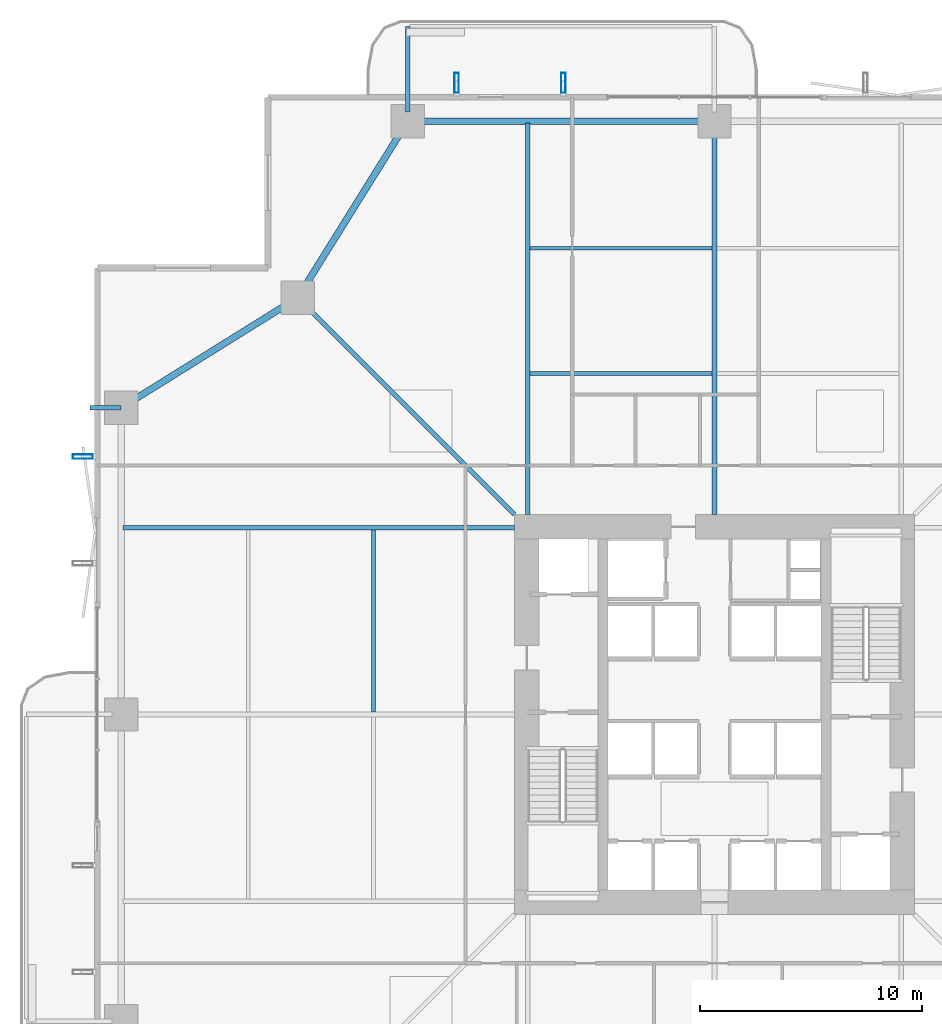
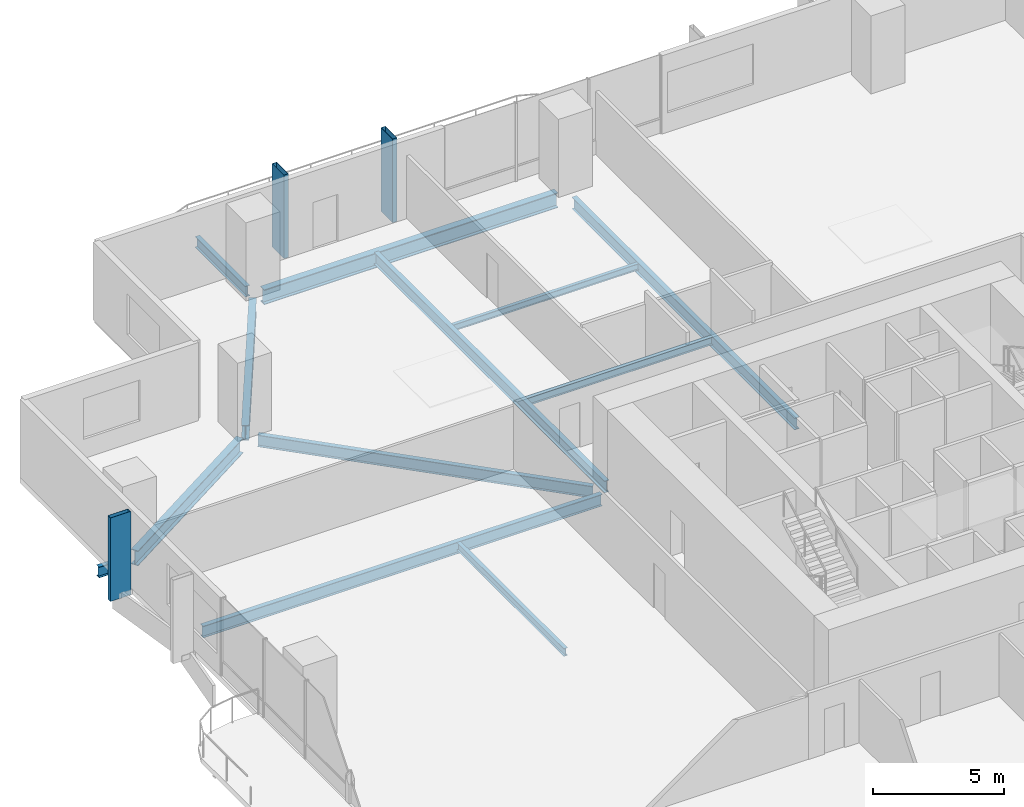
# One storey, part 10 of 24: 12 beams, 3 members.
"""IFC4 building model written with IfcOpenShell, lengths in metres."""

from ifc_helpers import new_model, si_unit, direction, frame, origin, origin_2d, place, context, subcontext, project, spatial, hollow_rectangle, i_section, extrude, material, material_profile, profile_set, type_object, element, save


model = new_model("IFC4")

# Units and contexts
model_context = context("Model", 3, precision=1e-05, world=origin(), true_north=direction((0.0, 1.0)))
body_context = subcontext(model_context, "Body", "Model", "MODEL_VIEW")
ifc_project = project(units=[si_unit("LENGTHUNIT", "METRE"), si_unit("AREAUNIT", "SQUARE_METRE"), si_unit("VOLUMEUNIT", "CUBIC_METRE"), si_unit("PLANEANGLEUNIT", "RADIAN"), si_unit("MASSUNIT", "GRAM", prefix="KILO")], contexts=[model_context])

# Site, building, storey
site_placement = place(None, origin())
site = spatial("IfcSite", under=ifc_project, at=site_placement, CompositionType="ELEMENT")
building_placement = place(site_placement, origin())
building = spatial("IfcBuilding", under=site, at=building_placement, Name="Belovzor Exchange Tower", CompositionType="ELEMENT")
storey_placement = place(building_placement, frame((0.0, 0.0, 96.300048828125)))
storey = spatial("IfcBuildingStorey", under=building, at=storey_placement, Name="L23", CompositionType="ELEMENT", Elevation=96.300048828125)

# Beams
ifc_material_1 = material(Name="Steel S355", Category="steel")
ifc_material_profile_1 = material_profile(ifc_material_1, i_section(OverallWidth=0.199951171875, OverallDepth=0.5, WebThickness=0.01025390625, FlangeThickness=0.01611328125, at=origin_2d()))
ifc_profile_set_1 = profile_set([ifc_material_profile_1], Name="Steel S355")
beam_type_1 = type_object("IfcBeamType", Name="Planted Balcony Cantilever Beam IPE 500", PredefinedType="BEAM", material=ifc_profile_set_1)
beam_1_placement = place(storey_placement, frame((15.0, 55.9130859375, -0.5), z_axis=(0.0, 1.0, 0.0), x_axis=(-1.0, 0.0, 0.0)))
element("IfcBeam", 1, at=beam_1_placement, inside=storey, type_object=beam_type_1, Name="BC-500 Planted Balcony Cantilever Beam IPE 500", PredefinedType="BEAM", context=body_context, shape_type="SweptSolid", body=[
    extrude(i_section(OverallWidth=0.199951171875, OverallDepth=0.5, WebThickness=0.01025390625, FlangeThickness=0.01611328125, at=origin_2d()), origin(), (0.0, 0.0, 1.0), 3.849853515625),
])
beam_2_placement = place(storey_placement, frame((2.10009765625, 42.60009765625, -0.5), z_axis=(-1.0, 0.0, 0.0), x_axis=(0.0, -1.0, 0.0)))
element("IfcBeam", 2, at=beam_2_placement, inside=storey, type_object=beam_type_1, Name="BC-500 Planted Balcony Cantilever Beam IPE 500", PredefinedType="BEAM", context=body_context, shape_type="SweptSolid", body=[
    extrude(i_section(OverallWidth=0.199951171875, OverallDepth=0.5, WebThickness=0.01025390625, FlangeThickness=0.01611328125, at=origin_2d()), origin(), (0.0, 0.0, 1.0), 1.400146484375),
])
ifc_material_2 = material(Name="Steel S355", Category="steel")
ifc_material_profile_2 = material_profile(ifc_material_2, i_section(OverallWidth=0.169921875, OverallDepth=0.360107421875, WebThickness=0.008056640625, FlangeThickness=0.0126953125, at=origin_2d()))
ifc_profile_set_2 = profile_set([ifc_material_profile_2], Name="Steel S355")
beam_type_2 = type_object("IfcBeamType", Name="Secondary Infill Floor Joist IPE 360", PredefinedType="BEAM", material=ifc_profile_set_2)
beam_3_placement = place(storey_placement, frame((20.5048828125, 44.14501953125, -0.429931640625), z_axis=(1.0, 0.0, 0.0), x_axis=(0.0, 1.0, 0.0)))
element("IfcBeam", 3, at=beam_3_placement, inside=storey, type_object=beam_type_2, Name="FJ-360 Secondary Infill Floor Joist IPE 360", PredefinedType="BEAM", context=body_context, shape_type="SweptSolid", body=[
    extrude(i_section(OverallWidth=0.169921875, OverallDepth=0.360107421875, WebThickness=0.008056640625, FlangeThickness=0.0126953125, at=origin_2d()), origin(), (0.0, 0.0, 1.0), 8.190185546875),
])
beam_4_placement = place(storey_placement, frame((13.455078125, 28.905029296875, -0.429931640625), z_axis=(0.0, 1.0, 0.0), x_axis=(-1.0, 0.0, 0.0)))
element("IfcBeam", 4, at=beam_4_placement, inside=storey, type_object=beam_type_2, Name="FJ-360 Secondary Infill Floor Joist IPE 360", PredefinedType="BEAM", context=body_context, shape_type="SweptSolid", body=[
    extrude(i_section(OverallWidth=0.169921875, OverallDepth=0.360107421875, WebThickness=0.008056640625, FlangeThickness=0.0126953125, at=origin_2d()), origin(), (0.0, 0.0, 1.0), 8.18994140625),
])
ifc_material_3 = material(Name="Steel S355", Category="steel")
ifc_material_profile_3 = material_profile(ifc_material_3, i_section(OverallWidth=0.14990234375, OverallDepth=0.300048828125, WebThickness=0.007080078125, FlangeThickness=0.0107421875, at=origin_2d()))
ifc_profile_set_3 = profile_set([ifc_material_profile_3], Name="Steel S355")
beam_type_3 = type_object("IfcBeamType", Name="Secondary Trim Floor Joist IPE 300", PredefinedType="BEAM", material=ifc_profile_set_3)
beam_5_placement = place(storey_placement, frame((20.5048828125, 49.784912109375, -0.400146484375), z_axis=(1.0, 0.0, 0.0), x_axis=(0.0, 1.0, 0.0)))
element("IfcBeam", 5, at=beam_5_placement, inside=storey, type_object=beam_type_3, Name="FJ-300 Secondary Trim Floor Joist IPE 300", PredefinedType="BEAM", context=body_context, shape_type="SweptSolid", body=[
    extrude(i_section(OverallWidth=0.14990234375, OverallDepth=0.300048828125, WebThickness=0.007080078125, FlangeThickness=0.0107421875, at=origin_2d()), origin(), (0.0, 0.0, 1.0), 8.190185546875),
])

# Members
ifc_material_4 = material(Name="Extruded Architectural Terracotta on Steel S355 Carrier", Category="masonry")
ifc_material_profile_4 = material_profile(ifc_material_4, hollow_rectangle(XDim=0.199951171875, YDim=0.89990234375, WallThickness=0.011962890625, at=origin_2d()))
ifc_profile_set_4 = profile_set([ifc_material_profile_4], Name="Extruded Architectural Terracotta on Steel S355 Carrier")
member_type = type_object("IfcMemberType", Name="Sweeping Terracotta Baguette Fin Assembly 1250", PredefinedType="USERDEFINED", material=ifc_profile_set_4)
for number, where, z_axis, x_axis, name in (
    (6, (17.199951171875, 57.22509765625, -0.25), (0.0, 0.0, 1.0), (1.0, 0.0, 0.0), "FIN-TC125 Terracotta Facade Fin L23 N1"),
    (7, (22.0, 57.22509765625, -0.25), (0.0, 0.0, 1.0), (1.0, 0.0, 0.0), "FIN-TC125 Terracotta Facade Fin L23 N2"),
    (8, (0.375, 40.39990234375, -0.25), (0.0, 0.0, 1.0), (0.0, 1.0, 0.0), "FIN-TC125 Terracotta Facade Fin L23 W4"),
):
    element("IfcMember", number, at=place(storey_placement, frame(where, z_axis=z_axis, x_axis=x_axis)), inside=storey, type_object=member_type, Name=name, ObjectType="FIN", PredefinedType="USERDEFINED", context=body_context, shape_type="SweptSolid", body=[
        extrude(hollow_rectangle(XDim=0.199951171875, YDim=0.89990234375, WallThickness=0.011962890625, at=origin_2d()), origin(), (0.0, 0.0, 1.0), 3.89990234375),
    ])

# Beams
ifc_material_5 = material(Name="Steel S355", Category="steel")
ifc_material_profile_5 = material_profile(ifc_material_5, i_section(OverallWidth=0.300048828125, OverallDepth=0.699951171875, WebThickness=0.01708984375, FlangeThickness=0.031982421875, at=origin_2d()))
ifc_profile_set_5 = profile_set([ifc_material_profile_5], Name="Steel S355")
beam_type_4 = type_object("IfcBeamType", Name="Zone 1 Primary Perimeter Girder HEB 700", PredefinedType="BEAM", material=ifc_profile_set_5)
beam_6_placement = place(storey_placement, frame((28.386962890625, 55.5, -0.60009765625), z_axis=(-1.0, 0.0, 0.0), x_axis=(0.0, -1.0, 0.0)))
element("IfcBeam", 9, at=beam_6_placement, inside=storey, type_object=beam_type_4, Name="FG-Z1 Zone 1 Primary Perimeter Girder HEB 700", PredefinedType="BEAM", context=body_context, shape_type="SweptSolid", body=[
    extrude(i_section(OverallWidth=0.300048828125, OverallDepth=0.699951171875, WebThickness=0.01708984375, FlangeThickness=0.031982421875, at=origin_2d()), origin(), (0.0, 0.0, 1.0), 12.974853515625),
])
for number, where, z_axis, x_axis, name in (
    (10, (14.781982421875, 55.14990234375, -0.60009765625), (-0.528538629686, -0.848909251292, 0.0), (0.848909251292, -0.528538629686, 0.0), "FG-Z1 Zone 1 Primary Perimeter Girder HEB 700"),
    (11, (9.699951171875, 47.33203125, -0.60009765625), (-0.848909251292, -0.528538629686, 0.0), (0.528538629686, -0.848909251292, 0.0), "FG-Z1 Zone 1 Primary Perimeter Girder HEB 700"),
):
    element("IfcBeam", number, at=place(storey_placement, frame(where, z_axis=z_axis, x_axis=x_axis)), inside=storey, type_object=beam_type_4, Name=name, PredefinedType="BEAM", context=body_context, shape_type="SweptSolid", body=[
        extrude(i_section(OverallWidth=0.300048828125, OverallDepth=0.699951171875, WebThickness=0.01708984375, FlangeThickness=0.031982421875, at=origin_2d()), origin(), (0.0, 0.0, 1.0), 8.540283203125),
    ])
ifc_material_6 = material(Name="Steel S355", Category="steel")
ifc_material_profile_6 = material_profile(ifc_material_6, i_section(OverallWidth=0.2099609375, OverallDepth=0.550048828125, WebThickness=0.010986328125, FlangeThickness=0.01708984375, at=origin_2d()))
ifc_profile_set_6 = profile_set([ifc_material_profile_6], Name="Steel S355")
beam_type_5 = type_object("IfcBeamType", Name="Zone 1 Radial Composite Floor Beam IPE 550", PredefinedType="BEAM", material=ifc_profile_set_6)
beam_7_placement = place(storey_placement, frame((20.39990234375, 37.800048828125, -0.525146484375), z_axis=(0.0, 1.0, 0.0), x_axis=(-1.0, 0.0, 0.0)))
element("IfcBeam", 12, at=beam_7_placement, inside=storey, type_object=beam_type_5, Name="FB-550 Zone 1 Radial Composite Floor Beam IPE 550", PredefinedType="BEAM", context=body_context, shape_type="SweptSolid", body=[
    extrude(i_section(OverallWidth=0.2099609375, OverallDepth=0.550048828125, WebThickness=0.010986328125, FlangeThickness=0.01708984375, at=origin_2d()), origin(), (0.0, 0.0, 1.0), 17.625),
])
beam_8_placement = place(storey_placement, frame((28.800048828125, 37.800048828125, -0.525146484375), z_axis=(0.0, 1.0, 0.0), x_axis=(-1.0, 0.0, 0.0)))
element("IfcBeam", 13, at=beam_8_placement, inside=storey, type_object=beam_type_5, Name="FB-550 Zone 1 Radial Composite Floor Beam IPE 550", PredefinedType="BEAM", context=body_context, shape_type="SweptSolid", body=[
    extrude(i_section(OverallWidth=0.2099609375, OverallDepth=0.550048828125, WebThickness=0.010986328125, FlangeThickness=0.01708984375, at=origin_2d()), origin(), (0.0, 0.0, 1.0), 17.0400390625),
])
beam_9_placement = place(storey_placement, frame((19.800048828125, 37.199951171875, -0.525146484375), z_axis=(-1.0, 0.0, 0.0), x_axis=(0.0, -1.0, 0.0)))
element("IfcBeam", 14, at=beam_9_placement, inside=storey, type_object=beam_type_5, Name="FB-550 Zone 1 Radial Composite Floor Beam IPE 550", PredefinedType="BEAM", context=body_context, shape_type="SweptSolid", body=[
    extrude(i_section(OverallWidth=0.2099609375, OverallDepth=0.550048828125, WebThickness=0.010986328125, FlangeThickness=0.01708984375, at=origin_2d()), origin(), (0.0, 0.0, 1.0), 17.625),
])
beam_10_placement = place(storey_placement, frame((19.800048828125, 37.800048828125, -0.525146484375), z_axis=(-0.707106781187, 0.707106781187, 0.0), x_axis=(-0.707106781187, -0.707106781187, 0.0)))
element("IfcBeam", 15, at=beam_10_placement, inside=storey, type_object=beam_type_5, Name="FB-550 Zone 1 Radial Composite Floor Beam IPE 550", PredefinedType="BEAM", context=body_context, shape_type="SweptSolid", body=[
    extrude(i_section(OverallWidth=0.2099609375, OverallDepth=0.550048828125, WebThickness=0.010986328125, FlangeThickness=0.01708984375, at=origin_2d()), origin(), (0.0, 0.0, 1.0), 13.25830078125),
])

save(model, "model.ifc")
